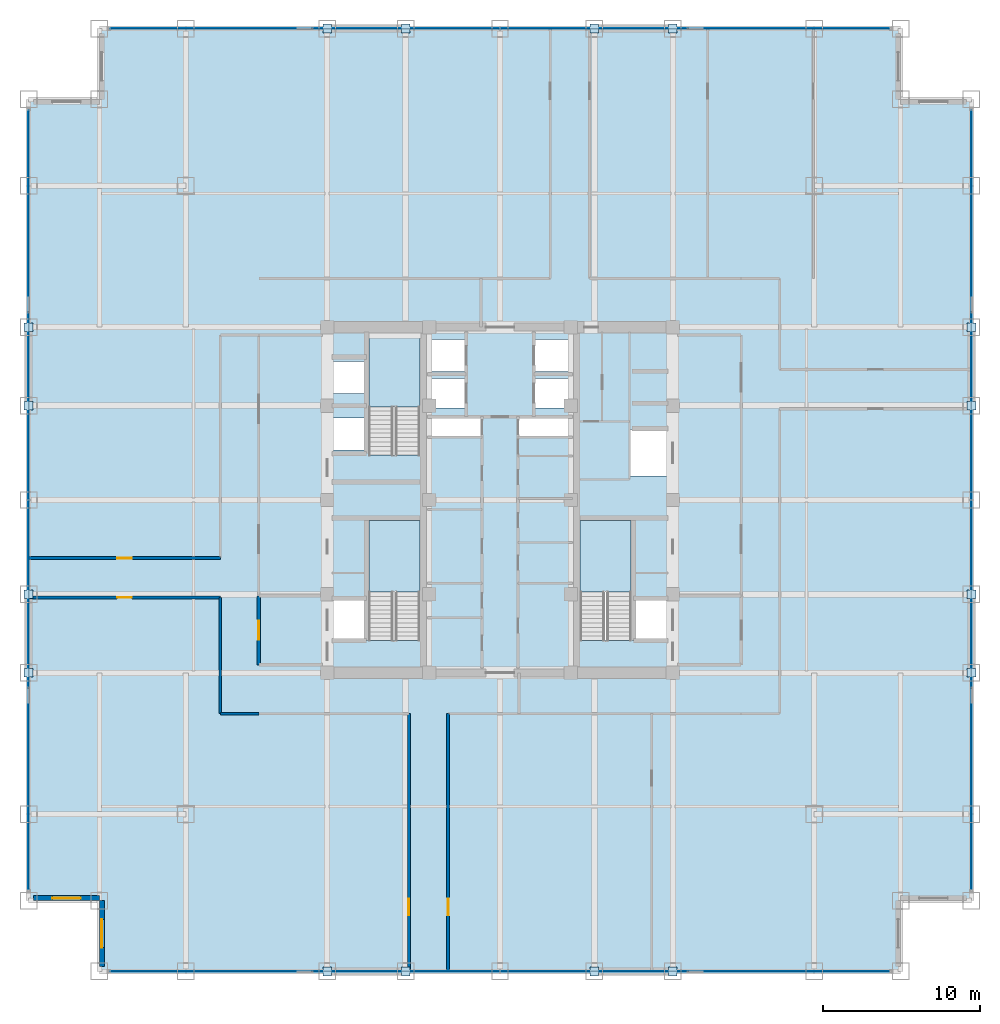
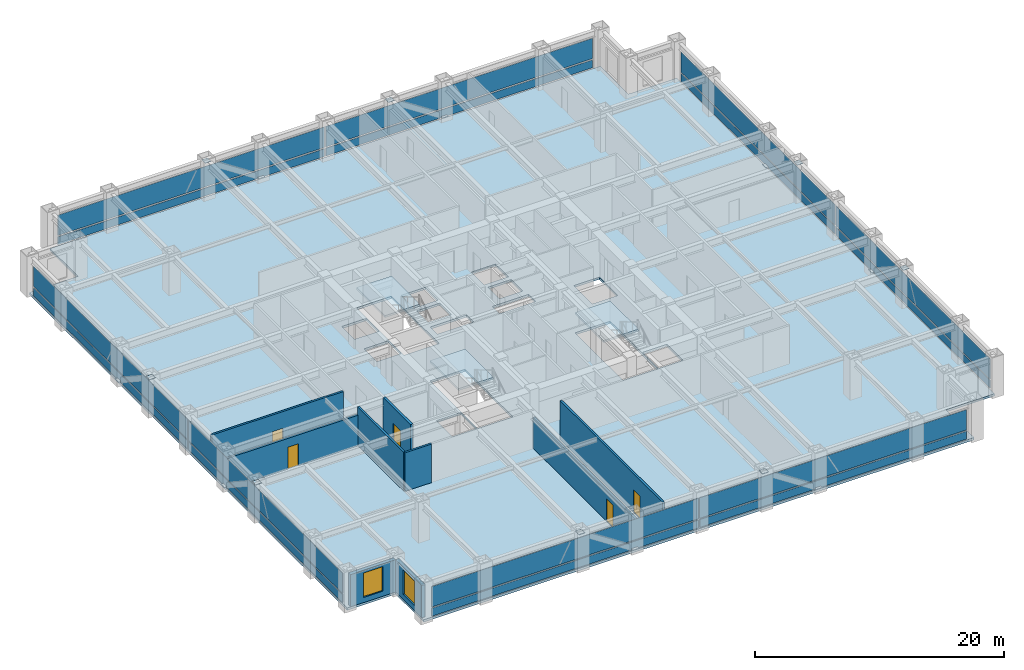
# One storey, part 19 of 24: 32 plates, 9 walls, 5 doors, 4 slabs, 2 windows, 7 openings, 7 elements without a shape of their own.
"""IFC4 building model written with IfcOpenShell, lengths in metres."""

from ifc_helpers import new_model, si_unit, direction, frame, frame_2d, origin, origin_2d, place, context, subcontext, project, spatial, polyline, rectangle, outline, extrude, source, transform, mapped, material, layer, layer_set, type_object, element, fill, aggregate, save


model = new_model("IFC4")

# Units and contexts
model_context = context("Model", 3, precision=1e-05, world=origin(), true_north=direction((0.0, 1.0)))
body_context = subcontext(model_context, "Body", "Model", "MODEL_VIEW")
ifc_project = project(units=[si_unit("LENGTHUNIT", "METRE"), si_unit("AREAUNIT", "SQUARE_METRE"), si_unit("VOLUMEUNIT", "CUBIC_METRE"), si_unit("PLANEANGLEUNIT", "RADIAN"), si_unit("MASSUNIT", "GRAM", prefix="KILO")], contexts=[model_context])

# Site, building, storey
site_placement = place(None, origin())
site = spatial("IfcSite", under=ifc_project, at=site_placement, CompositionType="ELEMENT")
building_placement = place(site_placement, origin())
building = spatial("IfcBuilding", under=site, at=building_placement, Name="Khorayat Bourse Tower", CompositionType="ELEMENT")
storey_placement = place(building_placement, frame((0.0, 0.0, 159.10009765625)))
storey = spatial("IfcBuildingStorey", under=building, at=storey_placement, Name="L36", CompositionType="ELEMENT", Elevation=159.10009765625)

# Stair, slab
ifc_material_1 = material(Name="Concrete C40/50", Category="concrete")
stair_type = type_object("IfcStairType", Name="STR-CORE-1550", PredefinedType="HALF_TURN_STAIR", material=ifc_material_1)
stair_1_placement = place(storey_placement, origin())
stair_1 = element("IfcStair", 1, at=stair_1_placement, inside=storey, type_object=stair_type, Name="L36 Exit Stair ST-1", PredefinedType="HALF_TURN_STAIR")
ifc_layer_1 = layer(ifc_material_1, 0.199951171875)
ifc_layer_set_1 = layer_set([ifc_layer_1], Name="Concrete C40/50")
slab_type_1 = type_object("IfcSlabType", Name="SLB-LANDING-200", PredefinedType="LANDING", material=ifc_layer_set_1)
slab_1_placement = place(storey_placement, frame((0.0, 0.0, 1.7998046875)))
slab_1 = element("IfcSlab", 2, at=slab_1_placement, type_object=slab_type_1, Name="ST-1 landing 1", PredefinedType="LANDING", context=body_context, shape_type="SweptSolid", body=[
    extrude(outline(polyline([(-5.10009765625, -5.8701171875), (-5.10009765625, -1.300048828125), (-8.35009765625, -1.300048828125), (-8.35009765625, -5.8701171875), (-5.10009765625, -5.8701171875)])), origin(), (0.0, 0.0, 1.0), 0.2001953125),
])
aggregate(stair_1, [slab_1])

stair_2_placement = place(storey_placement, origin())
stair_2 = element("IfcStair", 3, at=stair_2_placement, inside=storey, type_object=stair_type, Name="L36 Exit Stair ST-2", PredefinedType="HALF_TURN_STAIR")
slab_2_placement = place(storey_placement, frame((0.0, 0.0, 1.7998046875)))
slab_2 = element("IfcSlab", 4, at=slab_2_placement, type_object=slab_type_1, Name="ST-2 landing 1", PredefinedType="LANDING", context=body_context, shape_type="SweptSolid", body=[
    extrude(outline(polyline([(-5.10009765625, 5.929931640625), (-5.10009765625, 10.5), (-8.35009765625, 10.5), (-8.35009765625, 5.929931640625), (-5.10009765625, 5.929931640625)])), origin(), (0.0, 0.0, 1.0), 0.2001953125),
])
aggregate(stair_2, [slab_2])

stair_3_placement = place(storey_placement, origin())
stair_3 = element("IfcStair", 5, at=stair_3_placement, inside=storey, type_object=stair_type, Name="L36 Exit Stair ST-3", PredefinedType="HALF_TURN_STAIR")
slab_3_placement = place(storey_placement, frame((0.0, 0.0, 1.7998046875)))
slab_3 = element("IfcSlab", 6, at=slab_3_placement, type_object=slab_type_1, Name="ST-3 landing 1", PredefinedType="LANDING", context=body_context, shape_type="SweptSolid", body=[
    extrude(outline(polyline([(8.35009765625, -5.8701171875), (8.35009765625, -1.300048828125), (5.10009765625, -1.300048828125), (5.10009765625, -5.8701171875), (8.35009765625, -5.8701171875)])), origin(), (0.0, 0.0, 1.0), 0.2001953125),
])
aggregate(stair_3, [slab_3])

# Slab
ifc_layer_2 = layer(ifc_material_1, 0.219970703125)
ifc_layer_set_2 = layer_set([ifc_layer_2], Name="Concrete C40/50")
slab_type_2 = type_object("IfcSlabType", Name="SLB-OFFICE-220", PredefinedType="FLOOR", material=ifc_layer_set_2)
slab_4_placement = place(storey_placement, frame((0.0, 0.0, -0.22021484375)))
element("IfcSlab", 7, at=slab_4_placement, inside=storey, type_object=slab_type_2, Name="L36 Main Floor Slab", PredefinedType="FLOOR", context=body_context, shape_type="SweptSolid", body=[
    extrude(outline(polyline([(-25.5, -30.0), (25.5, -30.0), (25.5, -25.5), (30.0, -25.5), (30.0, 25.5), (25.5, 25.5), (25.5, 30.0), (-25.5, 30.0), (-25.5, 25.5), (-30.0, 25.5), (-30.0, -25.5), (-25.5, -25.5), (-25.5, -30.0)]), holes=[polyline([(-8.35009765625, -8.945068359375), (-5.10009765625, -8.945068359375), (-5.10009765625, -1.300048828125), (-8.35009765625, -1.300048828125), (-8.35009765625, -8.945068359375)]), polyline([(-8.35009765625, 2.85498046875), (-5.10009765625, 2.85498046875), (-5.10009765625, 10.5), (-8.35009765625, 10.5), (-8.35009765625, 2.85498046875)]), polyline([(5.10009765625, -8.945068359375), (8.35009765625, -8.945068359375), (8.35009765625, -1.300048828125), (5.10009765625, -1.300048828125), (5.10009765625, -8.945068359375)]), polyline([(-4.3798828125, 8.169921875), (-2.1201171875, 8.169921875), (-2.1201171875, 10.22998046875), (-4.3798828125, 10.22998046875), (-4.3798828125, 8.169921875)]), polyline([(2.1201171875, 8.169921875), (4.3798828125, 8.169921875), (4.3798828125, 10.22998046875), (2.1201171875, 10.22998046875), (2.1201171875, 8.169921875)]), polyline([(-4.3798828125, 5.8701171875), (-2.219970703125, 5.8701171875), (-2.219970703125, 7.72998046875), (-4.3798828125, 7.72998046875), (-4.3798828125, 5.8701171875)]), polyline([(2.219970703125, 5.8701171875), (4.3798828125, 5.8701171875), (4.3798828125, 7.72998046875), (2.219970703125, 7.72998046875), (2.219970703125, 5.8701171875)]), polyline([(-10.679931640625, 3.169921875), (-8.419921875, 3.169921875), (-8.419921875, 5.22998046875), (-10.679931640625, 5.22998046875), (-10.679931640625, 3.169921875)]), polyline([(-10.679931640625, 6.77001953125), (-8.419921875, 6.77001953125), (-8.419921875, 8.830078125), (-10.679931640625, 8.830078125), (-10.679931640625, 6.77001953125)]), polyline([(-10.679931640625, -8.929931640625), (-8.419921875, -8.929931640625), (-8.419921875, -6.3701171875), (-10.679931640625, -6.3701171875), (-10.679931640625, -8.929931640625)]), polyline([(8.419921875, -8.929931640625), (10.679931640625, -8.929931640625), (10.679931640625, -6.3701171875), (8.419921875, -6.3701171875), (8.419921875, -8.929931640625)]), polyline([(8.320068359375, 1.52001953125), (10.679931640625, 1.52001953125), (10.679931640625, 4.47998046875), (8.320068359375, 4.47998046875), (8.320068359375, 1.52001953125)]), polyline([(-4.56005859375, 4.080078125), (-1.18994140625, 4.080078125), (-1.18994140625, 5.219970703125), (-4.56005859375, 5.219970703125), (-4.56005859375, 4.080078125)]), polyline([(1.18994140625, 4.080078125), (4.56005859375, 4.080078125), (4.56005859375, 5.219970703125), (1.18994140625, 5.219970703125), (1.18994140625, 4.080078125)])]), origin(), (0.0, 0.0, 1.0), 0.22021484375),
])

# Plates
ifc_material_2 = material(Name="Steel EN 10025-2 S355J2", Category="steel")
ifc_layer_3 = layer(ifc_material_2, 0.02490234375)
ifc_layer_set_3 = layer_set([ifc_layer_3], Name="Steel EN 10025-2 S355J2")
plate_type_1 = type_object("IfcPlateType", Name="PLT-ENDCAP-25", PredefinedType="SHEET", material=ifc_layer_set_3)
shared_shape_1 = source(origin(), body_context, "Body", "SweptSolid", [
    extrude(rectangle(XDim=0.56005859375, YDim=0.56005859375, at=origin_2d()), origin(), (0.0, 0.0, 1.0), 0.02490234375),
])
for number, where, z_axis, x_axis, name in (
    (8, (-11.0, -30.0, 3.517333984375), (0.0, 0.0, 1.0), (1.0, 0.0, 0.0), "L36 Perimeter Brace End Plate 001"),
    (9, (-6.0, -30.0, 0.237548828125), (0.0, 0.0, 1.0), (1.0, 0.0, 0.0), "L36 Perimeter Brace End Plate 002"),
    (10, (6.0, -30.0, 3.517333984375), (0.0, 0.0, 1.0), (1.0, 0.0, 0.0), "L36 Perimeter Brace End Plate 003"),
    (11, (11.0, -30.0, 0.237548828125), (0.0, 0.0, 1.0), (1.0, 0.0, 0.0), "L36 Perimeter Brace End Plate 004"),
    (12, (-11.0, 30.0, 3.517333984375), (0.0, 0.0, 1.0), (1.0, 0.0, 0.0), "L36 Perimeter Brace End Plate 005"),
    (13, (-6.0, 30.0, 0.237548828125), (0.0, 0.0, 1.0), (1.0, 0.0, 0.0), "L36 Perimeter Brace End Plate 006"),
    (14, (6.0, 30.0, 3.517333984375), (0.0, 0.0, 1.0), (1.0, 0.0, 0.0), "L36 Perimeter Brace End Plate 007"),
    (15, (11.0, 30.0, 0.237548828125), (0.0, 0.0, 1.0), (1.0, 0.0, 0.0), "L36 Perimeter Brace End Plate 008"),
    (16, (-30.0, -11.0, 3.517333984375), (0.0, 0.0, 1.0), (1.0, 0.0, 0.0), "L36 Perimeter Brace End Plate 009"),
    (17, (-30.0, -6.0, 0.237548828125), (0.0, 0.0, 1.0), (1.0, 0.0, 0.0), "L36 Perimeter Brace End Plate 010"),
    (18, (-30.0, 6.0, 3.517333984375), (0.0, 0.0, 1.0), (1.0, 0.0, 0.0), "L36 Perimeter Brace End Plate 011"),
    (19, (-30.0, 11.0, 0.237548828125), (0.0, 0.0, 1.0), (1.0, 0.0, 0.0), "L36 Perimeter Brace End Plate 012"),
    (20, (30.0, -11.0, 3.517333984375), (0.0, 0.0, 1.0), (1.0, 0.0, 0.0), "L36 Perimeter Brace End Plate 013"),
    (21, (30.0, -6.0, 0.237548828125), (0.0, 0.0, 1.0), (1.0, 0.0, 0.0), "L36 Perimeter Brace End Plate 014"),
    (22, (30.0, 6.0, 3.517333984375), (0.0, 0.0, 1.0), (1.0, 0.0, 0.0), "L36 Perimeter Brace End Plate 015"),
    (23, (30.0, 11.0, 0.237548828125), (0.0, 0.0, 1.0), (1.0, 0.0, 0.0), "L36 Perimeter Brace End Plate 016"),
):
    element("IfcPlate", number, at=place(storey_placement, frame(where, z_axis=z_axis, x_axis=x_axis)), inside=storey, type_object=plate_type_1, Name=name, PredefinedType="SHEET", context=body_context, shape_type="MappedRepresentation", body=[
        mapped(shared_shape_1, transform((0.0, 0.0, 0.0), scale=1.0)),
    ])

# Curtain wall, plates
ifc_material_3 = material(Name="Aluminium EN AW-6063 T6", Category="aluminium")
curtain_wall_type = type_object("IfcCurtainWallType", Name="CW-SYS-03", PredefinedType="NOTDEFINED", material=ifc_material_3)
curtain_wall_1_placement = place(storey_placement, origin())
curtain_wall_1 = element("IfcCurtainWall", 24, at=curtain_wall_1_placement, inside=storey, type_object=curtain_wall_type, Name="L36 Curtain Wall CW-L36-S1", PredefinedType="NOTDEFINED")
ifc_material_4 = material(Name="Honed desert limestone insulated spandrel", Category="masonry")
ifc_layer_4 = layer(ifc_material_4, 0.06494140625)
ifc_layer_set_4 = layer_set([ifc_layer_4], Name="Honed desert limestone insulated spandrel")
plate_type_2 = type_object("IfcPlateType", Name="CWP-SPAND-03", PredefinedType="CURTAIN_PANEL", material=ifc_layer_set_4)
shared_shape_2 = source(origin(), body_context, "Body", "SweptSolid", [
    extrude(rectangle(XDim=24.719970703125, YDim=0.06494140625, at=origin_2d()), origin(), (0.0, 0.0, 1.0), 0.77001953125),
])
plate_1_placement = place(storey_placement, frame((-12.419921875, -30.0, 0.119873046875), z_axis=(0.0, 0.0, 1.0), x_axis=(1.0, 0.0, 0.0)))
plate_1 = element("IfcPlate", 25, at=plate_1_placement, type_object=plate_type_2, Name="CW-L36-S1 Spandrel Panel 1-1", PredefinedType="CURTAIN_PANEL", context=body_context, shape_type="MappedRepresentation", body=[
    mapped(shared_shape_2, transform((0.0, 0.0, 0.0), scale=1.0)),
])
plate_2_placement = place(storey_placement, frame((12.419921875, -30.0, 0.119873046875), z_axis=(0.0, 0.0, 1.0), x_axis=(1.0, 0.0, 0.0)))
plate_2 = element("IfcPlate", 26, at=plate_2_placement, type_object=plate_type_2, Name="CW-L36-S1 Spandrel Panel 2-1", PredefinedType="CURTAIN_PANEL", context=body_context, shape_type="MappedRepresentation", body=[
    mapped(shared_shape_2, transform((0.0, 0.0, 0.0), scale=1.0)),
])

curtain_wall_2_placement = place(storey_placement, origin())
curtain_wall_2 = element("IfcCurtainWall", 27, at=curtain_wall_2_placement, inside=storey, type_object=curtain_wall_type, Name="L36 Curtain Wall CW-L36-N1", PredefinedType="NOTDEFINED")
plate_3_placement = place(storey_placement, frame((-12.419921875, 30.0, 0.119873046875), z_axis=(0.0, 0.0, 1.0), x_axis=(1.0, 0.0, 0.0)))
plate_3 = element("IfcPlate", 28, at=plate_3_placement, type_object=plate_type_2, Name="CW-L36-N1 Spandrel Panel 1-1", PredefinedType="CURTAIN_PANEL", context=body_context, shape_type="MappedRepresentation", body=[
    mapped(shared_shape_2, transform((0.0, 0.0, 0.0), scale=1.0)),
])
plate_4_placement = place(storey_placement, frame((12.419921875, 30.0, 0.119873046875), z_axis=(0.0, 0.0, 1.0), x_axis=(1.0, 0.0, 0.0)))
plate_4 = element("IfcPlate", 29, at=plate_4_placement, type_object=plate_type_2, Name="CW-L36-N1 Spandrel Panel 2-1", PredefinedType="CURTAIN_PANEL", context=body_context, shape_type="MappedRepresentation", body=[
    mapped(shared_shape_2, transform((0.0, 0.0, 0.0), scale=1.0)),
])

curtain_wall_3_placement = place(storey_placement, origin())
curtain_wall_3 = element("IfcCurtainWall", 30, at=curtain_wall_3_placement, inside=storey, type_object=curtain_wall_type, Name="L36 Curtain Wall CW-L36-W1", PredefinedType="NOTDEFINED")
plate_5_placement = place(storey_placement, frame((-30.0, -12.419921875, 0.119873046875), z_axis=(0.0, 0.0, 1.0), x_axis=(0.0, 1.0, 0.0)))
plate_5 = element("IfcPlate", 31, at=plate_5_placement, type_object=plate_type_2, Name="CW-L36-W1 Spandrel Panel 1-1", PredefinedType="CURTAIN_PANEL", context=body_context, shape_type="MappedRepresentation", body=[
    mapped(shared_shape_2, transform((0.0, 0.0, 0.0), scale=1.0)),
])
plate_6_placement = place(storey_placement, frame((-30.0, 12.419921875, 0.119873046875), z_axis=(0.0, 0.0, 1.0), x_axis=(0.0, 1.0, 0.0)))
plate_6 = element("IfcPlate", 32, at=plate_6_placement, type_object=plate_type_2, Name="CW-L36-W1 Spandrel Panel 2-1", PredefinedType="CURTAIN_PANEL", context=body_context, shape_type="MappedRepresentation", body=[
    mapped(shared_shape_2, transform((0.0, 0.0, 0.0), scale=1.0)),
])

curtain_wall_4_placement = place(storey_placement, origin())
curtain_wall_4 = element("IfcCurtainWall", 33, at=curtain_wall_4_placement, inside=storey, type_object=curtain_wall_type, Name="L36 Curtain Wall CW-L36-E1", PredefinedType="NOTDEFINED")
plate_7_placement = place(storey_placement, frame((30.0, -12.419921875, 0.119873046875), z_axis=(0.0, 0.0, 1.0), x_axis=(0.0, 1.0, 0.0)))
plate_7 = element("IfcPlate", 34, at=plate_7_placement, type_object=plate_type_2, Name="CW-L36-E1 Spandrel Panel 1-1", PredefinedType="CURTAIN_PANEL", context=body_context, shape_type="MappedRepresentation", body=[
    mapped(shared_shape_2, transform((0.0, 0.0, 0.0), scale=1.0)),
])
plate_8_placement = place(storey_placement, frame((30.0, 12.419921875, 0.119873046875), z_axis=(0.0, 0.0, 1.0), x_axis=(0.0, 1.0, 0.0)))
plate_8 = element("IfcPlate", 35, at=plate_8_placement, type_object=plate_type_2, Name="CW-L36-E1 Spandrel Panel 2-1", PredefinedType="CURTAIN_PANEL", context=body_context, shape_type="MappedRepresentation", body=[
    mapped(shared_shape_2, transform((0.0, 0.0, 0.0), scale=1.0)),
])

# Plate
ifc_material_5 = material(Name="Low-E solar-control laminated double glazing", Category="glass")
ifc_layer_5 = layer(ifc_material_5, 0.035888671875)
ifc_layer_set_5 = layer_set([ifc_layer_5], Name="Low-E solar-control laminated double glazing")
plate_type_3 = type_object("IfcPlateType", Name="CWP-VIS-01", PredefinedType="CURTAIN_PANEL", material=ifc_layer_set_5)
shared_shape_3 = source(origin(), body_context, "Body", "SweptSolid", [
    extrude(rectangle(XDim=24.719970703125, YDim=0.035888671875, at=origin_2d()), origin(), (0.0, 0.0, 1.0), 2.0),
])
plate_9_placement = place(storey_placement, frame((-12.419921875, -30.0, 1.010009765625), z_axis=(0.0, 0.0, 1.0), x_axis=(1.0, 0.0, 0.0)))
plate_9 = element("IfcPlate", 36, at=plate_9_placement, type_object=plate_type_3, Name="CW-L36-S1 Vision Panel 1-2", PredefinedType="CURTAIN_PANEL", context=body_context, shape_type="MappedRepresentation", body=[
    mapped(shared_shape_3, transform((0.0, 0.0, 0.0), scale=1.0)),
])

plate_10_placement = place(storey_placement, frame((12.419921875, -30.0, 1.010009765625), z_axis=(0.0, 0.0, 1.0), x_axis=(1.0, 0.0, 0.0)))
plate_10 = element("IfcPlate", 37, at=plate_10_placement, type_object=plate_type_3, Name="CW-L36-S1 Vision Panel 2-2", PredefinedType="CURTAIN_PANEL", context=body_context, shape_type="MappedRepresentation", body=[
    mapped(shared_shape_3, transform((0.0, 0.0, 0.0), scale=1.0)),
])

aggregate(curtain_wall_1, [plate_1, plate_9, plate_2, plate_10])

plate_11_placement = place(storey_placement, frame((-12.419921875, 30.0, 1.010009765625), z_axis=(0.0, 0.0, 1.0), x_axis=(1.0, 0.0, 0.0)))
plate_11 = element("IfcPlate", 38, at=plate_11_placement, type_object=plate_type_3, Name="CW-L36-N1 Vision Panel 1-2", PredefinedType="CURTAIN_PANEL", context=body_context, shape_type="MappedRepresentation", body=[
    mapped(shared_shape_3, transform((0.0, 0.0, 0.0), scale=1.0)),
])

plate_12_placement = place(storey_placement, frame((12.419921875, 30.0, 1.010009765625), z_axis=(0.0, 0.0, 1.0), x_axis=(1.0, 0.0, 0.0)))
plate_12 = element("IfcPlate", 39, at=plate_12_placement, type_object=plate_type_3, Name="CW-L36-N1 Vision Panel 2-2", PredefinedType="CURTAIN_PANEL", context=body_context, shape_type="MappedRepresentation", body=[
    mapped(shared_shape_3, transform((0.0, 0.0, 0.0), scale=1.0)),
])

aggregate(curtain_wall_2, [plate_3, plate_11, plate_4, plate_12])

plate_13_placement = place(storey_placement, frame((-30.0, -12.419921875, 1.010009765625), z_axis=(0.0, 0.0, 1.0), x_axis=(0.0, 1.0, 0.0)))
plate_13 = element("IfcPlate", 40, at=plate_13_placement, type_object=plate_type_3, Name="CW-L36-W1 Vision Panel 1-2", PredefinedType="CURTAIN_PANEL", context=body_context, shape_type="MappedRepresentation", body=[
    mapped(shared_shape_3, transform((0.0, 0.0, 0.0), scale=1.0)),
])

plate_14_placement = place(storey_placement, frame((-30.0, 12.419921875, 1.010009765625), z_axis=(0.0, 0.0, 1.0), x_axis=(0.0, 1.0, 0.0)))
plate_14 = element("IfcPlate", 41, at=plate_14_placement, type_object=plate_type_3, Name="CW-L36-W1 Vision Panel 2-2", PredefinedType="CURTAIN_PANEL", context=body_context, shape_type="MappedRepresentation", body=[
    mapped(shared_shape_3, transform((0.0, 0.0, 0.0), scale=1.0)),
])

aggregate(curtain_wall_3, [plate_5, plate_13, plate_6, plate_14])

plate_15_placement = place(storey_placement, frame((30.0, -12.419921875, 1.010009765625), z_axis=(0.0, 0.0, 1.0), x_axis=(0.0, 1.0, 0.0)))
plate_15 = element("IfcPlate", 42, at=plate_15_placement, type_object=plate_type_3, Name="CW-L36-E1 Vision Panel 1-2", PredefinedType="CURTAIN_PANEL", context=body_context, shape_type="MappedRepresentation", body=[
    mapped(shared_shape_3, transform((0.0, 0.0, 0.0), scale=1.0)),
])

plate_16_placement = place(storey_placement, frame((30.0, 12.419921875, 1.010009765625), z_axis=(0.0, 0.0, 1.0), x_axis=(0.0, 1.0, 0.0)))
plate_16 = element("IfcPlate", 43, at=plate_16_placement, type_object=plate_type_3, Name="CW-L36-E1 Vision Panel 2-2", PredefinedType="CURTAIN_PANEL", context=body_context, shape_type="MappedRepresentation", body=[
    mapped(shared_shape_3, transform((0.0, 0.0, 0.0), scale=1.0)),
])

aggregate(curtain_wall_4, [plate_7, plate_15, plate_8, plate_16])

# Wall, opening, window
ifc_material_6 = material(Name="Precast concrete C45/55", Category="concrete")
ifc_layer_6 = layer(ifc_material_6, 0.320068359375)
ifc_layer_set_6 = layer_set([ifc_layer_6], Name="Precast concrete C45/55")
wall_type_1 = type_object("IfcWallType", Name="WAL-EXT-STONE-320", PredefinedType="STANDARD", material=ifc_layer_set_6)
shared_shape_4 = source(origin(), body_context, "Body", "SweptSolid", [
    extrude(rectangle(XDim=4.179931640625, YDim=0.320068359375, at=frame_2d((2.08984375, 0.0))), origin(), (0.0, 0.0, 1.0), 3.163818359375),
])
wall_1_placement = place(storey_placement, frame((-25.5, -25.340087890625, 0.0), z_axis=(0.0, 0.0, 1.0), x_axis=(-1.0, 0.0, 0.0)))
wall_1 = element("IfcWall", 44, at=wall_1_placement, inside=storey, type_object=wall_type_1, Name="L36 Re-Entrant Notch Limestone Wall SW-H", PredefinedType="STANDARD", context=body_context, shape_type="MappedRepresentation", body=[
    mapped(shared_shape_4, transform((0.0, 0.0, 0.0), scale=1.0)),
])
shared_shape_5 = source(origin(), body_context, "Body", "SweptSolid", [
    extrude(rectangle(XDim=1.800048828125, YDim=2.39990234375, at=frame_2d((0.89990234375, 1.199951171875))), frame((0.0, 0.169921875, 0.0), z_axis=(0.0, -1.0, 0.0), x_axis=(1.0, 0.0, 0.0)), (0.0, 0.0, 1.0), 0.340087890625),
])
opening_1_placement = place(wall_1_placement, frame((1.18994140625, 0.0, 0.5)))
opening_1 = element("IfcOpeningElement", 45, at=opening_1_placement, cuts=wall_1, Name="Opening WN-04", PredefinedType="OPENING", context=body_context, shape_type="MappedRepresentation", body=[
    mapped(shared_shape_5, transform((0.0, 0.0, 0.0), scale=1.0)),
])
ifc_material_7 = material(Name="Low-E acoustic laminated double glazing", Category="glass")
window_type = type_object("IfcWindowType", Name="WIN-NOTCH-1800x2400", PartitioningType="SINGLE_PANEL", PredefinedType="WINDOW", material=ifc_material_7)
shared_shape_6 = source(origin(), body_context, "Body", "SweptSolid", [
    extrude(rectangle(XDim=1.800048828125, YDim=2.39990234375, at=frame_2d((0.89990234375, 1.199951171875))), frame((0.0, 0.030029296875, 0.0), z_axis=(0.0, -1.0, 0.0), x_axis=(1.0, 0.0, 0.0)), (0.0, 0.0, 1.0), 0.06005859375),
])
window_1_placement = place(opening_1_placement, origin())
window_1 = element("IfcWindow", 46, at=window_1_placement, inside=storey, type_object=window_type, Name="L36 Facade Window 1", OverallHeight=2.39990234375, OverallWidth=1.800048828125, PartitioningType="SINGLE_PANEL", PredefinedType="WINDOW", context=body_context, shape_type="MappedRepresentation", body=[
    mapped(shared_shape_6, transform((0.0, 0.0, 0.0), scale=1.0)),
])
fill(opening_1, window_1)

wall_2_placement = place(storey_placement, frame((-25.340087890625, -29.679931640625, 0.0), z_axis=(0.0, 0.0, 1.0), x_axis=(0.0, 1.0, 0.0)))
wall_2 = element("IfcWall", 47, at=wall_2_placement, inside=storey, type_object=wall_type_1, Name="L36 Re-Entrant Notch Limestone Wall SW-V", PredefinedType="STANDARD", context=body_context, shape_type="MappedRepresentation", body=[
    mapped(shared_shape_4, transform((0.0, 0.0, 0.0), scale=1.0)),
])
opening_2_placement = place(wall_2_placement, frame((1.18994140625, 0.0, 0.5)))
opening_2 = element("IfcOpeningElement", 48, at=opening_2_placement, cuts=wall_2, Name="Opening WN-04", PredefinedType="OPENING", context=body_context, shape_type="MappedRepresentation", body=[
    mapped(shared_shape_5, transform((0.0, 0.0, 0.0), scale=1.0)),
])
window_2_placement = place(opening_2_placement, origin())
window_2 = element("IfcWindow", 49, at=window_2_placement, inside=storey, type_object=window_type, Name="L36 Facade Window 1", OverallHeight=2.39990234375, OverallWidth=1.800048828125, PartitioningType="SINGLE_PANEL", PredefinedType="WINDOW", context=body_context, shape_type="MappedRepresentation", body=[
    mapped(shared_shape_6, transform((0.0, 0.0, 0.0), scale=1.0)),
])
fill(opening_2, window_2)

# Wall, opening, door
ifc_material_8 = material(Name="Aerated concrete blockwork", Category="masonry")
ifc_layer_7 = layer(ifc_material_8, 0.219970703125)
ifc_layer_set_7 = layer_set([ifc_layer_7], Name="Aerated concrete blockwork")
wall_type_2 = type_object("IfcWallType", Name="WAL-PART-FF-220", PredefinedType="PARTITIONING", material=ifc_layer_set_7)
shared_shape_7 = source(origin(), body_context, "Body", "SweptSolid", [
    extrude(rectangle(XDim=4.39990234375, YDim=0.219970703125, at=frame_2d((2.199951171875, 0.0))), origin(), (0.0, 0.0, 1.0), 3.77978515625),
])
wall_3_placement = place(storey_placement, frame((-15.35009765625, -10.5, 0.0), z_axis=(0.0, 0.0, 1.0), x_axis=(0.0, 1.0, 0.0)))
wall_3 = element("IfcWall", 50, at=wall_3_placement, inside=storey, type_object=wall_type_2, Name="L36 Partition WAL-L36-FFLW-W", PredefinedType="PARTITIONING", context=body_context, shape_type="MappedRepresentation", body=[
    mapped(shared_shape_7, transform((0.0, 0.0, 0.0), scale=1.0)),
])
shared_shape_8 = source(origin(), body_context, "Body", "SweptSolid", [
    extrude(rectangle(XDim=1.199951171875, YDim=2.199951171875, at=frame_2d((0.60009765625, 1.10009765625))), frame((0.0, 0.119873046875, 0.0), z_axis=(0.0, -1.0, 0.0), x_axis=(1.0, 0.0, 0.0)), (0.0, 0.0, 1.0), 0.239990234375),
])
opening_3_placement = place(wall_3_placement, frame((1.60009765625, 0.0, 0.0)))
opening_3 = element("IfcOpeningElement", 51, at=opening_3_placement, cuts=wall_3, Name="Opening DI-02", PredefinedType="OPENING", context=body_context, shape_type="MappedRepresentation", body=[
    mapped(shared_shape_8, transform((0.0, 0.0, 0.0), scale=1.0)),
])
ifc_material_9 = material(Name="Fire-rated steel double-seal leaf", Category="steel")
door_type_1 = type_object("IfcDoorType", Name="DR-INT-FFLOBBY-1200", OperationType="NOTDEFINED", PredefinedType="DOOR", material=ifc_material_9)
shared_shape_9 = source(origin(), body_context, "Body", "SweptSolid", [
    extrude(rectangle(XDim=1.199951171875, YDim=2.199951171875, at=frame_2d((0.60009765625, 1.10009765625))), frame((0.0, 0.02490234375, 0.0), z_axis=(0.0, -1.0, 0.0), x_axis=(1.0, 0.0, 0.0)), (0.0, 0.0, 1.0), 0.050048828125),
])
door_1_placement = place(opening_3_placement, origin())
door_1 = element("IfcDoor", 52, at=door_1_placement, inside=storey, type_object=door_type_1, Name="L36 West Firefighting Lobby Door", OperationType="SINGLE_SWING_LEFT", OverallHeight=2.199951171875, OverallWidth=1.199951171875, PredefinedType="DOOR", context=body_context, shape_type="MappedRepresentation", body=[
    mapped(shared_shape_9, transform((0.0, 0.0, 0.0), scale=1.0)),
])
fill(opening_3, door_1)

# Wall
ifc_material_10 = material(Name="Gypsum plasterboard acoustic stud wall")
ifc_layer_8 = layer(ifc_material_10, 0.179931640625)
ifc_layer_set_8 = layer_set([ifc_layer_8], Name="Gypsum plasterboard acoustic stud wall")
wall_type_3 = type_object("IfcWallType", Name="WAL-PART-CORR-180", PredefinedType="PARTITIONING", material=ifc_layer_set_8)
shared_shape_10 = source(origin(), body_context, "Body", "SweptSolid", [
    extrude(rectangle(XDim=2.449951171875, YDim=0.179931640625, at=frame_2d((1.22509765625, 0.0))), origin(), (0.0, 0.0, 1.0), 3.77978515625),
])
wall_4_placement = place(storey_placement, frame((-17.800048828125, -13.60009765625, 0.0), z_axis=(0.0, 0.0, 1.0), x_axis=(1.0, 0.0, 0.0)))
element("IfcWall", 53, at=wall_4_placement, inside=storey, type_object=wall_type_3, Name="L36 Partition WAL-L36-C2-WS", PredefinedType="PARTITIONING", context=body_context, shape_type="MappedRepresentation", body=[
    mapped(shared_shape_10, transform((0.0, 0.0, 0.0), scale=1.0)),
])

# Wall, opening, door
shared_shape_11 = source(origin(), body_context, "Body", "SweptSolid", [
    extrude(rectangle(XDim=12.199951171875, YDim=0.179931640625, at=frame_2d((6.10009765625, 0.0))), origin(), (0.0, 0.0, 1.0), 3.77978515625),
])
wall_5_placement = place(storey_placement, frame((-30.0, -3.699951171875, 0.0), z_axis=(0.0, 0.0, 1.0), x_axis=(1.0, 0.0, 0.0)))
wall_5 = element("IfcWall", 54, at=wall_5_placement, inside=storey, type_object=wall_type_3, Name="L36 Partition WAL-L36-WN-SPK", PredefinedType="PARTITIONING", context=body_context, shape_type="MappedRepresentation", body=[
    mapped(shared_shape_11, transform((0.0, 0.0, 0.0), scale=1.0)),
])
shared_shape_12 = source(origin(), body_context, "Body", "SweptSolid", [
    extrude(rectangle(XDim=0.949951171875, YDim=2.14990234375, at=frame_2d((0.47509765625, 1.074951171875))), frame((0.0, 0.099853515625, 0.0), z_axis=(0.0, -1.0, 0.0), x_axis=(1.0, 0.0, 0.0)), (0.0, 0.0, 1.0), 0.199951171875),
])
opening_4_placement = place(wall_5_placement, frame((5.625, 0.0, 0.0)))
opening_4 = element("IfcOpeningElement", 55, at=opening_4_placement, cuts=wall_5, Name="Opening DI-05", PredefinedType="OPENING", context=body_context, shape_type="MappedRepresentation", body=[
    mapped(shared_shape_12, transform((0.0, 0.0, 0.0), scale=1.0)),
])
ifc_material_11 = material(Name="Acoustic oak veneer office door")
door_type_2 = type_object("IfcDoorType", Name="DR-INT-OFFICE-950", OperationType="NOTDEFINED", PredefinedType="DOOR", material=ifc_material_11)
shared_shape_13 = source(origin(), body_context, "Body", "SweptSolid", [
    extrude(rectangle(XDim=0.949951171875, YDim=2.14990234375, at=frame_2d((0.47509765625, 1.074951171875))), frame((0.0, 0.02490234375, 0.0), z_axis=(0.0, -1.0, 0.0), x_axis=(1.0, 0.0, 0.0)), (0.0, 0.0, 1.0), 0.050048828125),
])
door_2_placement = place(opening_4_placement, origin())
door_2 = element("IfcDoor", 56, at=door_2_placement, inside=storey, type_object=door_type_2, Name="L36 Members Exchange Lounge WN Door", OperationType="SINGLE_SWING_LEFT", OverallHeight=2.14990234375, OverallWidth=0.949951171875, PredefinedType="DOOR", context=body_context, shape_type="MappedRepresentation", body=[
    mapped(shared_shape_13, transform((0.0, 0.0, 0.0), scale=1.0)),
])
fill(opening_4, door_2)

shared_shape_14 = source(origin(), body_context, "Body", "SweptSolid", [
    extrude(rectangle(XDim=12.199951171875, YDim=0.179931640625, at=frame_2d((6.10009765625, 0.0))), origin(), (0.0, 0.0, 1.0), 3.0068359375),
])
wall_6_placement = place(storey_placement, frame((-30.0, -6.199951171875, 0.0), z_axis=(0.0, 0.0, 1.0), x_axis=(1.0, 0.0, 0.0)))
wall_6 = element("IfcWall", 57, at=wall_6_placement, inside=storey, type_object=wall_type_3, Name="L36 Partition WAL-L36-WS-SPK", PredefinedType="PARTITIONING", context=body_context, shape_type="MappedRepresentation", body=[
    mapped(shared_shape_14, transform((0.0, 0.0, 0.0), scale=1.0)),
])
opening_5_placement = place(wall_6_placement, frame((5.625, 0.0, 0.0)))
opening_5 = element("IfcOpeningElement", 58, at=opening_5_placement, cuts=wall_6, Name="Opening DI-05", PredefinedType="OPENING", context=body_context, shape_type="MappedRepresentation", body=[
    mapped(shared_shape_12, transform((0.0, 0.0, 0.0), scale=1.0)),
])
door_3_placement = place(opening_5_placement, origin())
door_3 = element("IfcDoor", 59, at=door_3_placement, inside=storey, type_object=door_type_2, Name="L36 Clearing Records Archive Store WS Door", OperationType="SINGLE_SWING_LEFT", OverallHeight=2.14990234375, OverallWidth=0.949951171875, PredefinedType="DOOR", context=body_context, shape_type="MappedRepresentation", body=[
    mapped(shared_shape_13, transform((0.0, 0.0, 0.0), scale=1.0)),
])
fill(opening_5, door_3)

shared_shape_15 = source(origin(), body_context, "Body", "SweptSolid", [
    extrude(rectangle(XDim=16.39990234375, YDim=0.179931640625, at=frame_2d((8.199951171875, 0.0))), origin(), (0.0, 0.0, 1.0), 3.0068359375),
])
wall_7_placement = place(storey_placement, frame((-5.800048828125, -30.0, 0.0), z_axis=(0.0, 0.0, 1.0), x_axis=(0.0, 1.0, 0.0)))
wall_7 = element("IfcWall", 60, at=wall_7_placement, inside=storey, type_object=wall_type_3, Name="L36 Partition WAL-L36-QSW-SPK", PredefinedType="PARTITIONING", context=body_context, shape_type="MappedRepresentation", body=[
    mapped(shared_shape_15, transform((0.0, 0.0, 0.0), scale=1.0)),
])
shared_shape_16 = source(origin(), body_context, "Body", "SweptSolid", [
    extrude(rectangle(XDim=1.050048828125, YDim=2.199951171875, at=frame_2d((0.52490234375, 1.10009765625))), frame((0.0, 0.099853515625, 0.0), z_axis=(0.0, -1.0, 0.0), x_axis=(1.0, 0.0, 0.0)), (0.0, 0.0, 1.0), 0.199951171875),
])
opening_6_placement = place(wall_7_placement, frame((3.574951171875, 0.0, 0.0)))
opening_6 = element("IfcOpeningElement", 61, at=opening_6_placement, cuts=wall_7, Name="Opening DI-04", PredefinedType="OPENING", context=body_context, shape_type="MappedRepresentation", body=[
    mapped(shared_shape_16, transform((0.0, 0.0, 0.0), scale=1.0)),
])
ifc_material_12 = material(Name="Fire-rated oak veneer suite entrance door")
door_type_3 = type_object("IfcDoorType", Name="DR-INT-SUITE-1050", OperationType="NOTDEFINED", PredefinedType="DOOR", material=ifc_material_12)
shared_shape_17 = source(origin(), body_context, "Body", "SweptSolid", [
    extrude(rectangle(XDim=1.050048828125, YDim=2.199951171875, at=frame_2d((0.52490234375, 1.10009765625))), frame((0.0, 0.02490234375, 0.0), z_axis=(0.0, -1.0, 0.0), x_axis=(1.0, 0.0, 0.0)), (0.0, 0.0, 1.0), 0.050048828125),
])
door_4_placement = place(opening_6_placement, origin())
door_4 = element("IfcDoor", 62, at=door_4_placement, inside=storey, type_object=door_type_3, Name="L36 South-West Radial Spoke Entry", OperationType="SINGLE_SWING_LEFT", OverallHeight=2.199951171875, OverallWidth=1.050048828125, PredefinedType="DOOR", context=body_context, shape_type="MappedRepresentation", body=[
    mapped(shared_shape_17, transform((0.0, 0.0, 0.0), scale=1.0)),
])
fill(opening_6, door_4)

shared_shape_18 = source(origin(), body_context, "Body", "SweptSolid", [
    extrude(rectangle(XDim=16.39990234375, YDim=0.179931640625, at=frame_2d((8.199951171875, 0.0))), origin(), (0.0, 0.0, 1.0), 3.77978515625),
])
wall_8_placement = place(storey_placement, frame((-3.300048828125, -30.0, 0.0), z_axis=(0.0, 0.0, 1.0), x_axis=(0.0, 1.0, 0.0)))
wall_8 = element("IfcWall", 63, at=wall_8_placement, inside=storey, type_object=wall_type_3, Name="L36 Partition WAL-L36-QSE-SPK", PredefinedType="PARTITIONING", context=body_context, shape_type="MappedRepresentation", body=[
    mapped(shared_shape_18, transform((0.0, 0.0, 0.0), scale=1.0)),
])
opening_7_placement = place(wall_8_placement, frame((3.574951171875, 0.0, 0.0)))
opening_7 = element("IfcOpeningElement", 64, at=opening_7_placement, cuts=wall_8, Name="Opening DI-04", PredefinedType="OPENING", context=body_context, shape_type="MappedRepresentation", body=[
    mapped(shared_shape_16, transform((0.0, 0.0, 0.0), scale=1.0)),
])
door_5_placement = place(opening_7_placement, origin())
door_5 = element("IfcDoor", 65, at=door_5_placement, inside=storey, type_object=door_type_3, Name="L36 South-East Radial Spoke Entry", OperationType="SINGLE_SWING_LEFT", OverallHeight=2.199951171875, OverallWidth=1.050048828125, PredefinedType="DOOR", context=body_context, shape_type="MappedRepresentation", body=[
    mapped(shared_shape_17, transform((0.0, 0.0, 0.0), scale=1.0)),
])
fill(opening_7, door_5)

# Wall
shared_shape_19 = source(origin(), body_context, "Body", "SweptSolid", [
    extrude(rectangle(XDim=7.400146484375, YDim=0.179931640625, at=frame_2d((3.7001953125, 0.0))), origin(), (0.0, 0.0, 1.0), 3.77978515625),
])
wall_9_placement = place(storey_placement, frame((-17.800048828125, -13.60009765625, 0.0), z_axis=(0.0, 0.0, 1.0), x_axis=(0.0, 1.0, 0.0)))
element("IfcWall", 66, at=wall_9_placement, inside=storey, type_object=wall_type_3, Name="L36 Partition WAL-L36-WS-IN", PredefinedType="PARTITIONING", context=body_context, shape_type="MappedRepresentation", body=[
    mapped(shared_shape_19, transform((0.0, 0.0, 0.0), scale=1.0)),
])

save(model, "model.ifc")
